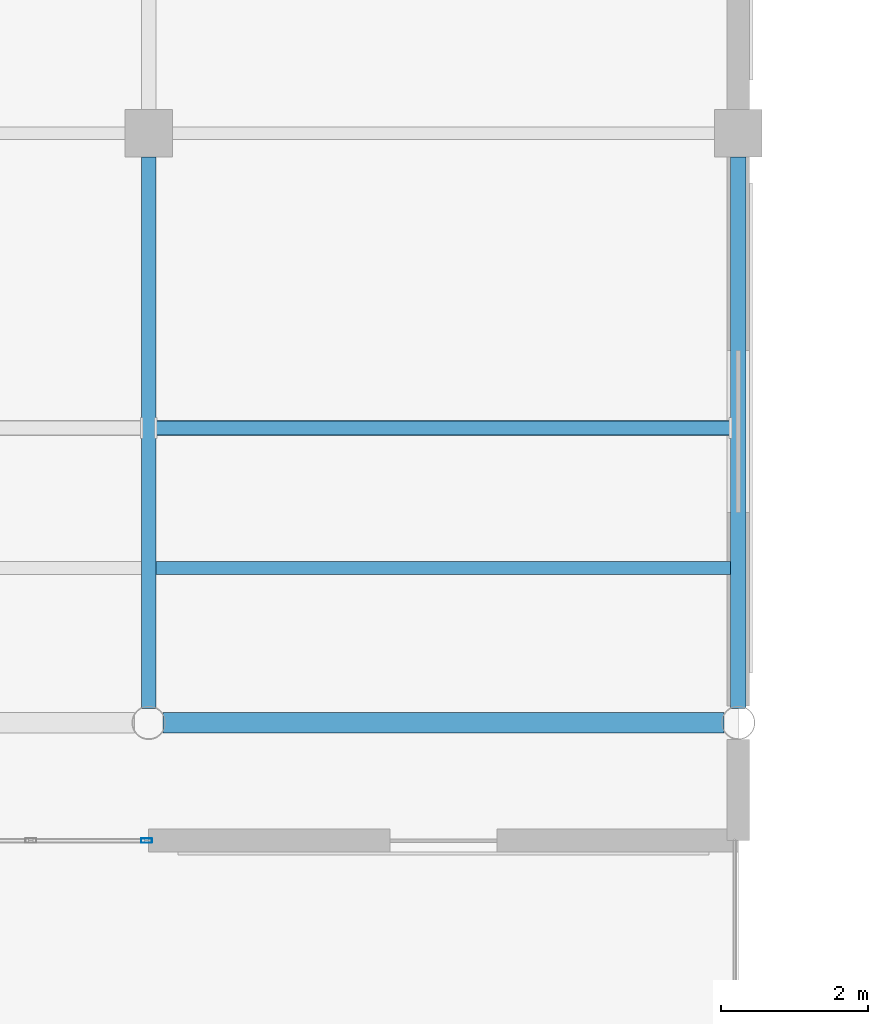
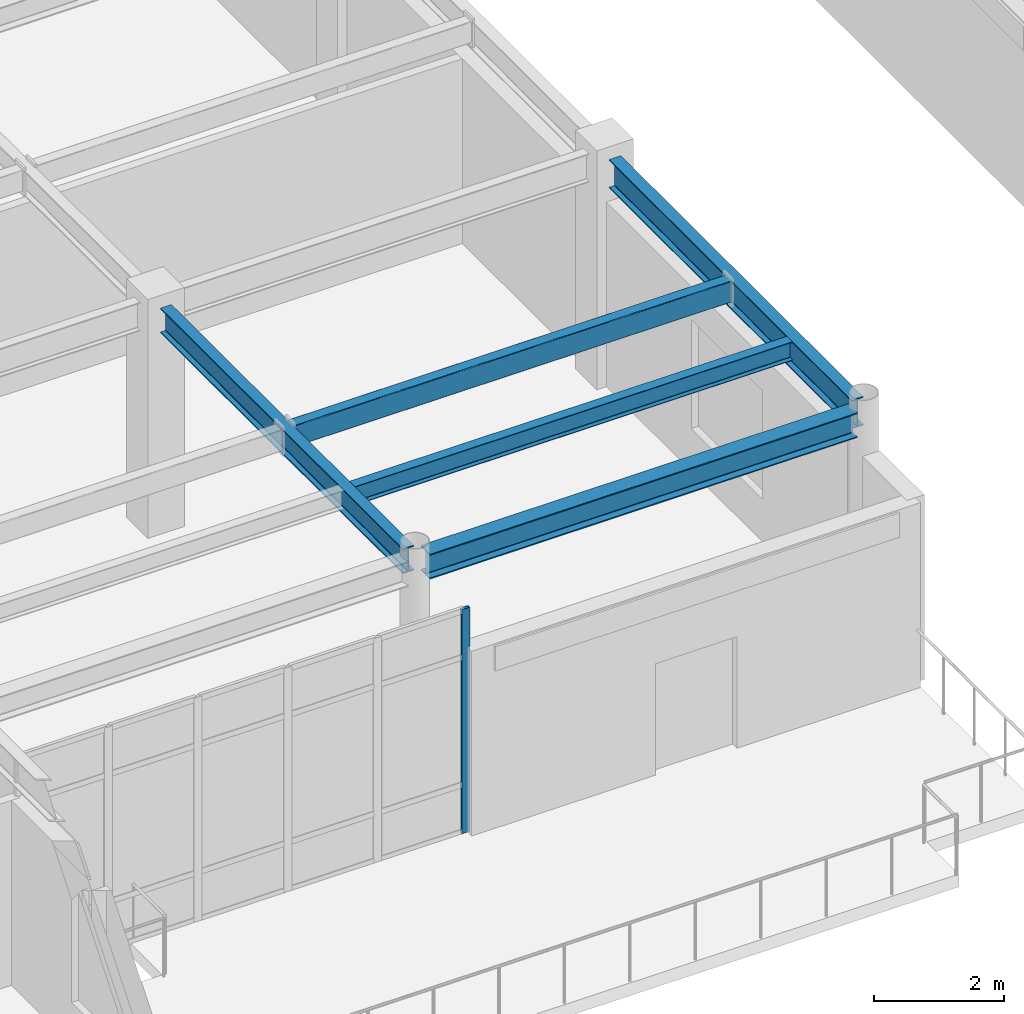
# One storey, part 48 of 93: 5 beams, 1 member, 1 element without a shape of its own.
"""IFC4 building model written with IfcOpenShell, lengths in metres."""

from ifc_helpers import new_model, si_unit, direction, frame, origin, origin_2d, place, context, subcontext, project, spatial, hollow_rectangle, i_section, extrude, material, material_profile, profile_set, type_object, element, aggregate, save


model = new_model("IFC4")

# Units and contexts
model_context = context("Model", 3, precision=1e-05, world=origin(), true_north=direction((0.0, 1.0)))
body_context = subcontext(model_context, "Body", "Model", "MODEL_VIEW")
ifc_project = project(units=[si_unit("LENGTHUNIT", "METRE"), si_unit("AREAUNIT", "SQUARE_METRE"), si_unit("VOLUMEUNIT", "CUBIC_METRE"), si_unit("PLANEANGLEUNIT", "RADIAN"), si_unit("MASSUNIT", "GRAM", prefix="KILO")], contexts=[model_context])

# Site, building, storey
site_placement = place(None, origin())
site = spatial("IfcSite", under=ifc_project, at=site_placement, CompositionType="ELEMENT")
building_placement = place(site_placement, origin())
building = spatial("IfcBuilding", under=site, at=building_placement, Name="Solmirada Galleria", CompositionType="ELEMENT")
storey_placement = place(building_placement, frame((0.0, 0.0, 14.89990234375)))
storey = spatial("IfcBuildingStorey", under=building, at=storey_placement, Name="L03", CompositionType="ELEMENT", Elevation=14.89990234375)

# Beams
ifc_material_1 = material(Name="Steel S355 / ASTM A992 Grade 50", Category="steel")
ifc_material_profile_1 = material_profile(ifc_material_1, i_section(OverallWidth=0.281982421875, OverallDepth=0.467041015625, WebThickness=0.01220703125, FlangeThickness=0.01953125, FilletRadius=0.013916015625, at=origin_2d()), Name="W18X86")
ifc_profile_set_1 = profile_set([ifc_material_profile_1], Name="Steel S355 / ASTM A992 Grade 50")
beam_type_1 = type_object("IfcBeamType", Name="BM-GIRD-W18A", PredefinedType="BEAM", material=ifc_profile_set_1)
beam_1_placement = place(storey_placement, frame((104.19189453125, 88.0, 4.026611328125), z_axis=(1.0, 0.0, 0.0), x_axis=(0.0, 1.0, 0.0)))
element("IfcBeam", 1, at=beam_1_placement, inside=storey, type_object=beam_type_1, Name="Primary beam L04 X(104..112, 88)", PredefinedType="BEAM", context=body_context, shape_type="SweptSolid", body=[
    extrude(i_section(OverallWidth=0.281982421875, OverallDepth=0.467041015625, WebThickness=0.01220703125, FlangeThickness=0.01953125, FilletRadius=0.013916015625, at=origin_2d()), origin(), (0.0, 0.0, 1.0), 7.6162109375),
])
ifc_material_profile_2 = material_profile(ifc_material_1, i_section(OverallWidth=0.194091796875, OverallDepth=0.468994140625, WebThickness=0.0126953125, FlangeThickness=0.0205078125, FilletRadius=0.013916015625, at=origin_2d()), Name="W18X71")
ifc_profile_set_2 = profile_set([ifc_material_profile_2], Name="Steel S355 / ASTM A992 Grade 50")
beam_type_2 = type_object("IfcBeamType", Name="BM-GIRD-W18B", PredefinedType="BEAM", material=ifc_profile_set_2)
beam_2_placement = place(storey_placement, frame((104.0, 88.19189453125, 4.025634765625), z_axis=(0.0, 1.0, 0.0), x_axis=(-1.0, 0.0, 0.0)))
element("IfcBeam", 2, at=beam_2_placement, inside=storey, type_object=beam_type_2, Name="Primary girder L04 Y(104, 88..96)", PredefinedType="BEAM", context=body_context, shape_type="SweptSolid", body=[
    extrude(i_section(OverallWidth=0.194091796875, OverallDepth=0.468994140625, WebThickness=0.0126953125, FlangeThickness=0.0205078125, FilletRadius=0.013916015625, at=origin_2d()), origin(), (0.0, 0.0, 1.0), 7.483154296875),
])
ifc_material_profile_3 = material_profile(ifc_material_1, i_section(OverallWidth=0.2099609375, OverallDepth=0.537109375, WebThickness=0.010986328125, FlangeThickness=0.017333984375, FilletRadius=0.014892578125, at=origin_2d()), Name="W21X68")
ifc_profile_set_3 = profile_set([ifc_material_profile_3], Name="Steel S355 / ASTM A992 Grade 50")
beam_type_3 = type_object("IfcBeamType", Name="BM-GIRD-W21B", PredefinedType="BEAM", material=ifc_profile_set_3)
beam_3_placement = place(storey_placement, frame((112.0, 88.19189453125, 3.99169921875), z_axis=(0.0, 1.0, 0.0), x_axis=(-1.0, 0.0, 0.0)))
element("IfcBeam", 3, at=beam_3_placement, inside=storey, type_object=beam_type_3, Name="Primary girder L04 Y(112, 88..96)", PredefinedType="BEAM", context=body_context, shape_type="SweptSolid", body=[
    extrude(i_section(OverallWidth=0.2099609375, OverallDepth=0.537109375, WebThickness=0.010986328125, FlangeThickness=0.017333984375, FilletRadius=0.014892578125, at=origin_2d()), origin(), (0.0, 0.0, 1.0), 7.483154296875),
])
ifc_material_profile_4 = material_profile(ifc_material_1, i_section(OverallWidth=0.1708984375, OverallDepth=0.35205078125, WebThickness=0.0068359375, FlangeThickness=0.009765625, FilletRadius=0.010986328125, at=origin_2d()), Name="W14X30")
ifc_profile_set_4 = profile_set([ifc_material_profile_4], Name="Steel S355 / ASTM A992 Grade 50")
beam_type_4 = type_object("IfcBeamType", Name="BM-JST-W14B", PredefinedType="JOIST", material=ifc_profile_set_4)
beam_4_placement = place(storey_placement, frame((104.096923828125, 90.10009765625, 4.083984375), z_axis=(1.0, 0.0, 0.0), x_axis=(0.0, 1.0, 0.0)))
element("IfcBeam", 4, at=beam_4_placement, inside=storey, type_object=beam_type_4, Name="Terrace deck joist L04-TERR-NE X=104..112 (2)", PredefinedType="JOIST", context=body_context, shape_type="SweptSolid", body=[
    extrude(i_section(OverallWidth=0.1708984375, OverallDepth=0.35205078125, WebThickness=0.0068359375, FlangeThickness=0.009765625, FilletRadius=0.010986328125, at=origin_2d()), origin(), (0.0, 0.0, 1.0), 7.798095703125),
])
ifc_material_2 = material(Name="Steel S355 / ASTM A500 Grade C", Category="steel")
ifc_material_profile_5 = material_profile(ifc_material_2, hollow_rectangle(XDim=0.202880859375, YDim=0.406005859375, WallThickness=0.01171875, InnerFilletRadius=0.01171875, OuterFilletRadius=0.023681640625, at=origin_2d()), Name="HSS16X8X1/2")
ifc_profile_set_5 = profile_set([ifc_material_profile_5], Name="Steel S355 / ASTM A500 Grade C")
beam_type_5 = type_object("IfcBeamType", Name="BM-JST-W16B", PredefinedType="JOIST", material=ifc_profile_set_5)
beam_5_placement = place(storey_placement, frame((104.096923828125, 92.0, 4.05712890625), z_axis=(1.0, 0.0, 0.0), x_axis=(0.0, 1.0, 0.0)))
element("IfcBeam", 5, at=beam_5_placement, inside=storey, type_object=beam_type_5, Name="Composite floor joist L04 (104..112, 92.0)", PredefinedType="JOIST", context=body_context, shape_type="SweptSolid", body=[
    extrude(hollow_rectangle(XDim=0.202880859375, YDim=0.406005859375, WallThickness=0.01171875, InnerFilletRadius=0.01171875, OuterFilletRadius=0.023681640625, at=origin_2d()), origin(), (0.0, 0.0, 1.0), 7.798095703125),
])

# Curtain wall, member
ifc_material_3 = material(Name="Impact-resistant low-E double glazing", Category="glass")
curtain_wall_type = type_object("IfcCurtainWallType", Name="CW-FZ4-L03-B5-L080", PredefinedType="NOTDEFINED", material=ifc_material_3)
curtain_wall_placement = place(storey_placement, origin())
curtain_wall = element("IfcCurtainWall", 6, at=curtain_wall_placement, inside=storey, type_object=curtain_wall_type, Name="Terrace and arcade storefront CW-L03-128", PredefinedType="NOTDEFINED")
ifc_material_4 = material(Name="Anodised aluminium framing", Category="aluminium")
ifc_material_profile_6 = material_profile(ifc_material_4, hollow_rectangle(XDim=0.06005859375, YDim=0.14990234375, WallThickness=0.00341796875, InnerFilletRadius=0.00341796875, OuterFilletRadius=0.007080078125, at=origin_2d()), Name="ALU-MULL-150X60")
ifc_profile_set_6 = profile_set([ifc_material_profile_6], Name="Anodised aluminium framing")
member_type = type_object("IfcMemberType", Name="CW-MULL-150", PredefinedType="MULLION", material=ifc_profile_set_6)
member_placement = place(storey_placement, frame((103.969970703125, 86.39990234375, 0.0), z_axis=(0.0, 0.0, 1.0), x_axis=(0.0, -1.0, 0.0)))
member = element("IfcMember", 7, at=member_placement, type_object=member_type, Name="CW28 mullion 1", PredefinedType="MULLION", context=body_context, shape_type="SweptSolid", body=[
    extrude(hollow_rectangle(XDim=0.06005859375, YDim=0.14990234375, WallThickness=0.00341796875, InnerFilletRadius=0.00341796875, OuterFilletRadius=0.007080078125, at=origin_2d()), origin(), (0.0, 0.0, 1.0), 4.22021484375),
])
aggregate(curtain_wall, [member])

save(model, "model.ifc")
